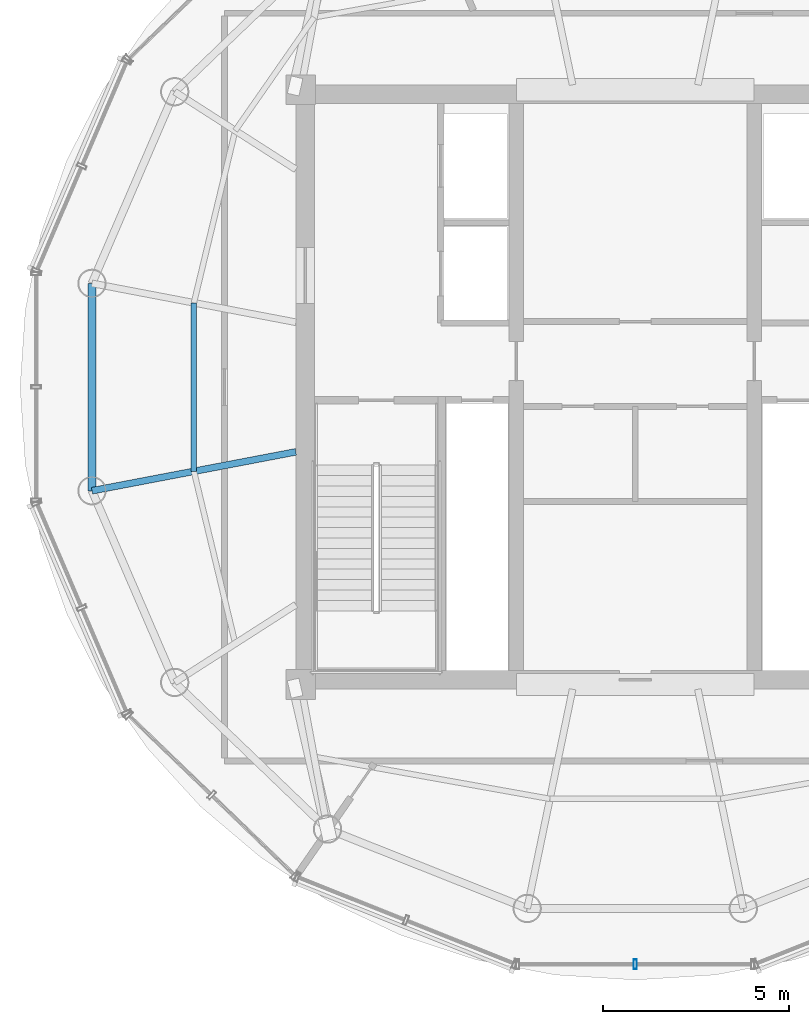
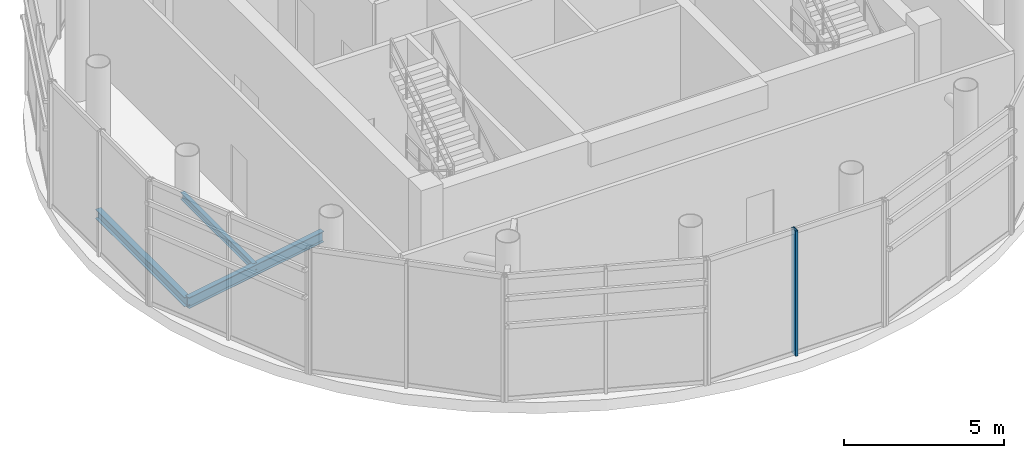
# One storey, part 3 of 14: 3 beams, 1 member, 1 element without a shape of its own.
"""IFC4 building model written with IfcOpenShell, lengths in metres."""

from ifc_helpers import new_model, si_unit, direction, frame, origin, origin_2d, place, context, subcontext, project, spatial, hollow_rectangle, i_section, extrude, source, transform, mapped, material, material_profile, profile_set, type_object, element, aggregate, save


model = new_model("IFC4")

# Units and contexts
model_context = context("Model", 3, precision=1e-05, world=origin(), true_north=direction((-0.2419218956, 0.970295726276)))
body_context = subcontext(model_context, "Body", "Model", "MODEL_VIEW")
ifc_project = project(units=[si_unit("LENGTHUNIT", "METRE"), si_unit("AREAUNIT", "SQUARE_METRE"), si_unit("VOLUMEUNIT", "CUBIC_METRE"), si_unit("PLANEANGLEUNIT", "RADIAN"), si_unit("MASSUNIT", "GRAM", prefix="KILO")], contexts=[model_context])

# Site, building, storey
site_placement = place(None, origin())
site = spatial("IfcSite", under=ifc_project, at=site_placement, CompositionType="ELEMENT")
building_placement = place(site_placement, origin())
building = spatial("IfcBuilding", under=site, at=building_placement, Name="Cobrevalo Terracotta Tower", CompositionType="ELEMENT")
storey_placement = place(building_placement, frame((0.0, 0.0, 326.89990234375)))
storey = spatial("IfcBuildingStorey", under=building, at=storey_placement, Name="L84", CompositionType="ELEMENT", Elevation=326.89990234375)

# Beams
ifc_material_1 = material(Name="Steel S355", Category="steel")
ifc_material_profile_1 = material_profile(ifc_material_1, i_section(OverallWidth=0.179931640625, OverallDepth=0.4130859375, WebThickness=0.009765625, FlangeThickness=0.01611328125, at=origin_2d()), Name="W 410x75")
ifc_profile_set_1 = profile_set([ifc_material_profile_1], Name="Steel S355")
beam_type_1 = type_object("IfcBeamType", Name="Structural Beam W 410x75 (Steel S355)", PredefinedType="BEAM", material=ifc_profile_set_1)
beam_1_placement = place(storey_placement, frame((23.38623046875, 24.01025390625, -0.62646484375), z_axis=(0.982261932892, 0.187513986655, 0.0), x_axis=(-0.187513986655, 0.982261932892, 0.0)))
element("IfcBeam", 1, at=beam_1_placement, inside=storey, type_object=beam_type_1, Name="L84 radial floor girder 09", PredefinedType="BEAM", context=body_context, shape_type="SweptSolid", body=[
    extrude(i_section(OverallWidth=0.179931640625, OverallDepth=0.4130859375, WebThickness=0.009765625, FlangeThickness=0.01611328125, at=origin_2d()), origin(), (0.0, 0.0, 1.0), 5.5830078125),
])
ifc_material_profile_2 = material_profile(ifc_material_1, i_section(OverallWidth=0.14794921875, OverallDepth=0.26611328125, WebThickness=0.007568359375, FlangeThickness=0.012939453125, at=origin_2d()), Name="W 250x44.8")
ifc_profile_set_2 = profile_set([ifc_material_profile_2], Name="Steel S355")
beam_type_2 = type_object("IfcBeamType", Name="Structural Joist W 250x44.8 (Steel S355)", PredefinedType="JOIST", material=ifc_profile_set_2)
beam_2_placement = place(storey_placement, frame((26.128173828125, 29.06640625, -0.552978515625), z_axis=(0.0, -1.0, 0.0), x_axis=(1.0, 0.0, 0.0)))
element("IfcBeam", 2, at=beam_2_placement, inside=storey, type_object=beam_type_2, Name="L84 circumferential secondary floor joist 08", PredefinedType="JOIST", context=body_context, shape_type="SweptSolid", body=[
    extrude(i_section(OverallWidth=0.14794921875, OverallDepth=0.26611328125, WebThickness=0.007568359375, FlangeThickness=0.012939453125, at=origin_2d()), origin(), (0.0, 0.0, 1.0), 4.53271484375),
])
ifc_material_profile_3 = material_profile(ifc_material_1, i_section(OverallWidth=0.205078125, OverallDepth=0.35400390625, WebThickness=0.009521484375, FlangeThickness=0.016845703125, at=origin_2d()), Name="W 360x79")
ifc_profile_set_3 = profile_set([ifc_material_profile_3], Name="Steel S355")
beam_type_3 = type_object("IfcBeamType", Name="Structural Spandrel W 360x79 (Steel S355)", PredefinedType="SPANDREL", material=ifc_profile_set_3)
beam_3_placement = place(storey_placement, frame((23.38623046875, 29.58984375, -0.596923828125), z_axis=(0.0, -1.0, 0.0), x_axis=(1.0, 0.0, 0.0)))
element("IfcBeam", 3, at=beam_3_placement, inside=storey, type_object=beam_type_3, Name="L84 perimeter ring spandrel 08", PredefinedType="SPANDREL", context=body_context, shape_type="SweptSolid", body=[
    extrude(i_section(OverallWidth=0.205078125, OverallDepth=0.35400390625, WebThickness=0.009521484375, FlangeThickness=0.016845703125, at=origin_2d()), origin(), (0.0, 0.0, 1.0), 5.57958984375),
])

# Curtain wall, member
ifc_material_2 = material(Name="Anodized aluminium", Category="aluminium")
curtain_wall_type = type_object("IfcCurtainWallType", Name="Faceted glass-point crown structural glazing system CW-CR", PredefinedType="NOTDEFINED", material=ifc_material_2)
curtain_wall_placement = place(storey_placement, origin())
curtain_wall = element("IfcCurtainWall", 4, at=curtain_wall_placement, inside=storey, type_object=curtain_wall_type, Name="L84 curtain wall CW-CRN-L84-S12", PredefinedType="NOTDEFINED")
ifc_material_profile_4 = material_profile(ifc_material_2, hollow_rectangle(XDim=0.090087890625, YDim=0.260009765625, WallThickness=0.006103515625, at=origin_2d()), Name="CWM 90x260")
ifc_profile_set_4 = profile_set([ifc_material_profile_4], Name="Anodized aluminium")
member_type = type_object("IfcMemberType", Name="Crown structural glass mullion 90x260", PredefinedType="MULLION", material=ifc_profile_set_4)
shared_shape = source(origin(), body_context, "Body", "SweptSolid", [
    extrude(hollow_rectangle(XDim=0.090087890625, YDim=0.260009765625, WallThickness=0.006103515625, at=origin_2d()), origin(), (0.0, 0.0, 1.0), 4.780029296875),
])
member_placement = place(storey_placement, frame((38.0, 11.274169921875, 0.0), z_axis=(0.0, 0.0, 1.0), x_axis=(1.0, 0.0, 0.0)))
member = element("IfcMember", 5, at=member_placement, type_object=member_type, Name="CW-CRN-L84-S12 vertical mullion 02", PredefinedType="MULLION", context=body_context, shape_type="MappedRepresentation", body=[
    mapped(shared_shape, transform((0.0, 0.0, 0.0), scale=1.0)),
])
aggregate(curtain_wall, [member])

save(model, "model.ifc")
